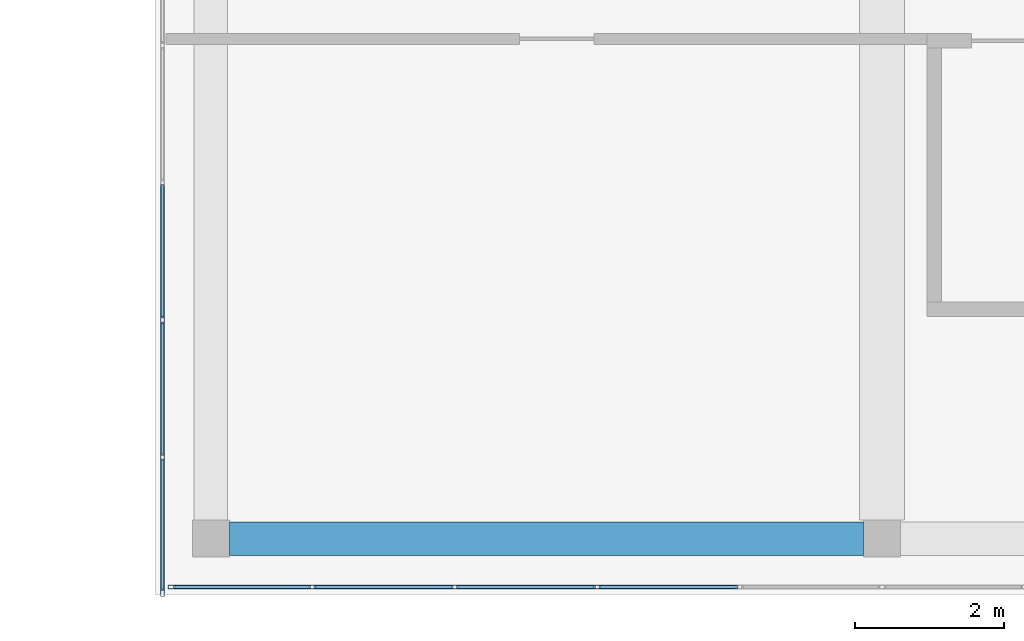
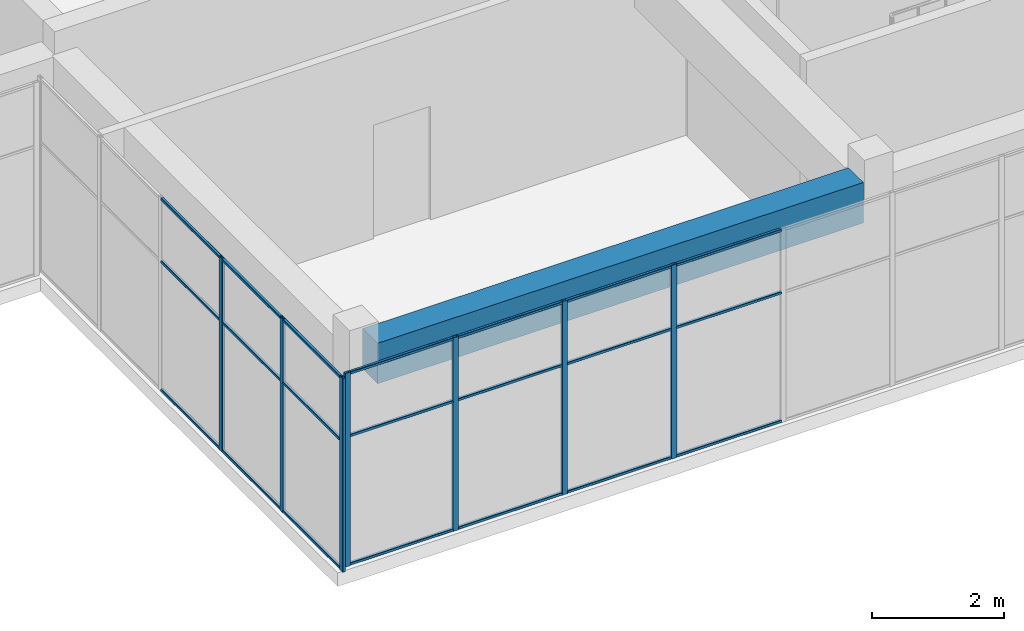
# One storey, part 2 of 36: 28 members, 1 beam, 2 elements without a shape of their own.
"""IFC4 building model written with IfcOpenShell, lengths in metres."""

from ifc_helpers import new_model, si_unit, direction, frame, origin, origin_2d, place, context, subcontext, project, spatial, rectangle, hollow_rectangle, extrude, material, layer, layer_set, material_profile, profile_set, type_object, element, aggregate, save


model = new_model("IFC4")

# Units and contexts
model_context = context("Model", 3, precision=1e-05, world=origin(), true_north=direction((0.0, 1.0)))
body_context = subcontext(model_context, "Body", "Model", "MODEL_VIEW")
ifc_project = project(units=[si_unit("LENGTHUNIT", "METRE"), si_unit("AREAUNIT", "SQUARE_METRE"), si_unit("VOLUMEUNIT", "CUBIC_METRE"), si_unit("PLANEANGLEUNIT", "RADIAN"), si_unit("MASSUNIT", "GRAM", prefix="KILO")], contexts=[model_context])

# Site, building, storey
site_placement = place(None, origin())
site = spatial("IfcSite", under=ifc_project, at=site_placement, CompositionType="ELEMENT")
building_placement = place(site_placement, origin())
building = spatial("IfcBuilding", under=site, at=building_placement, Name="Tuart Plaza Theatre", CompositionType="ELEMENT")
storey_placement = place(building_placement, frame((0.0, 0.0, 61.5)))
storey = spatial("IfcBuildingStorey", under=building, at=storey_placement, Name="L15", CompositionType="ELEMENT", Elevation=61.5)

# Beam
ifc_material_1 = material(Name="Concrete N40 (40 MPa)", Category="concrete")
ifc_material_profile_1 = material_profile(ifc_material_1, rectangle(XDim=0.449951171875, YDim=0.75, at=origin_2d()), Name="BEAM 450x750 Concrete N40 (40 MPa)")
ifc_profile_set_1 = profile_set([ifc_material_profile_1], Name="Concrete N40 (40 MPa)")
beam_type = type_object("IfcBeamType", Name="BEAM 450x750 Concrete N40 (40 MPa)", PredefinedType="BEAM", material=ifc_profile_set_1)
beam_placement = place(storey_placement, frame((123.25, 56.0, 3.205078125), z_axis=(1.0, 0.0, 0.0), x_axis=(0.0, 1.0, 0.0)))
element("IfcBeam", 1, at=beam_placement, inside=storey, type_object=beam_type, Name="RB328", PredefinedType="BEAM", context=body_context, shape_type="SweptSolid", body=[
    extrude(rectangle(XDim=0.449951171875, YDim=0.75, at=origin_2d()), origin(), (0.0, 0.0, 1.0), 8.5),
])

# Curtain wall, members
ifc_material_2 = material(Name="Aluminium and glass", Category="aluminium")
ifc_layer = layer(ifc_material_2, 0.10009765625)
ifc_layer_set = layer_set([ifc_layer], Name="CURTAIN WALL 2000 module")
curtain_wall_type = type_object("IfcCurtainWallType", Name="CURTAIN WALL 2000 module", PredefinedType="NOTDEFINED", material=ifc_layer_set)
curtain_wall_1_placement = place(storey_placement, origin())
curtain_wall_1 = element("IfcCurtainWall", 2, at=curtain_wall_1_placement, inside=storey, type_object=curtain_wall_type, Name="CW121", PredefinedType="NOTDEFINED")
ifc_material_3 = material(Name="Aluminium 6063-T5", Category="aluminium")
ifc_material_profile_2 = material_profile(ifc_material_3, hollow_rectangle(XDim=0.050048828125, YDim=0.10009765625, WallThickness=0.00390625, InnerFilletRadius=0.00390625, OuterFilletRadius=0.008056640625, at=origin_2d()), Name="RHS 100x50x4")
ifc_profile_set_2 = profile_set([ifc_material_profile_2], Name="Aluminium 6063-T5")
member_type_1 = type_object("IfcMemberType", Name="MULLION RHS 100x50x4", PredefinedType="MULLION", material=ifc_profile_set_2)
member_1_placement = place(storey_placement, frame((122.35009765625, 58.929931640625, 0.0), z_axis=(0.0, 0.0, 1.0), x_axis=(1.0, 0.0, 0.0)))
member_1 = element("IfcMember", 3, at=member_1_placement, type_object=member_type_1, Name="CW121 mullion 4", PredefinedType="MULLION", context=body_context, shape_type="SweptSolid", body=[
    extrude(hollow_rectangle(XDim=0.050048828125, YDim=0.10009765625, WallThickness=0.00390625, InnerFilletRadius=0.00390625, OuterFilletRadius=0.008056640625, at=origin_2d()), origin(), (0.0, 0.0, 1.0), 3.580078125),
])
member_2_placement = place(storey_placement, frame((122.35009765625, 57.090087890625, 0.0), z_axis=(0.0, 0.0, 1.0), x_axis=(1.0, 0.0, 0.0)))
member_2 = element("IfcMember", 4, at=member_2_placement, type_object=member_type_1, Name="CW121 mullion 5", PredefinedType="MULLION", context=body_context, shape_type="SweptSolid", body=[
    extrude(hollow_rectangle(XDim=0.050048828125, YDim=0.10009765625, WallThickness=0.00390625, InnerFilletRadius=0.00390625, OuterFilletRadius=0.008056640625, at=origin_2d()), origin(), (0.0, 0.0, 1.0), 3.580078125),
])
member_3_placement = place(storey_placement, frame((122.35009765625, 55.27490234375, 0.0), z_axis=(0.0, 0.0, 1.0), x_axis=(1.0, 0.0, 0.0)))
member_3 = element("IfcMember", 5, at=member_3_placement, type_object=member_type_1, Name="CW121 mullion 6", PredefinedType="MULLION", context=body_context, shape_type="SweptSolid", body=[
    extrude(hollow_rectangle(XDim=0.050048828125, YDim=0.10009765625, WallThickness=0.00390625, InnerFilletRadius=0.00390625, OuterFilletRadius=0.008056640625, at=origin_2d()), origin(), (0.0, 0.0, 1.0), 3.580078125),
])

curtain_wall_2_placement = place(storey_placement, origin())
curtain_wall_2 = element("IfcCurtainWall", 6, at=curtain_wall_2_placement, inside=storey, type_object=curtain_wall_type, Name="CW122", PredefinedType="NOTDEFINED")
member_4_placement = place(storey_placement, frame((122.47509765625, 55.35009765625, 0.0), z_axis=(0.0, 0.0, 1.0), x_axis=(0.0, 1.0, 0.0)))
member_4 = element("IfcMember", 7, at=member_4_placement, type_object=member_type_1, Name="CW122 mullion 1", PredefinedType="MULLION", context=body_context, shape_type="SweptSolid", body=[
    extrude(hollow_rectangle(XDim=0.050048828125, YDim=0.10009765625, WallThickness=0.00390625, InnerFilletRadius=0.00390625, OuterFilletRadius=0.008056640625, at=origin_2d()), origin(), (0.0, 0.0, 1.0), 3.580078125),
])
member_5_placement = place(storey_placement, frame((124.360107421875, 55.35009765625, 0.0), z_axis=(0.0, 0.0, 1.0), x_axis=(0.0, 1.0, 0.0)))
member_5 = element("IfcMember", 8, at=member_5_placement, type_object=member_type_1, Name="CW122 mullion 2", PredefinedType="MULLION", context=body_context, shape_type="SweptSolid", body=[
    extrude(hollow_rectangle(XDim=0.050048828125, YDim=0.10009765625, WallThickness=0.00390625, InnerFilletRadius=0.00390625, OuterFilletRadius=0.008056640625, at=origin_2d()), origin(), (0.0, 0.0, 1.0), 3.580078125),
])
member_6_placement = place(storey_placement, frame((126.27001953125, 55.35009765625, 0.0), z_axis=(0.0, 0.0, 1.0), x_axis=(0.0, 1.0, 0.0)))
member_6 = element("IfcMember", 9, at=member_6_placement, type_object=member_type_1, Name="CW122 mullion 3", PredefinedType="MULLION", context=body_context, shape_type="SweptSolid", body=[
    extrude(hollow_rectangle(XDim=0.050048828125, YDim=0.10009765625, WallThickness=0.00390625, InnerFilletRadius=0.00390625, OuterFilletRadius=0.008056640625, at=origin_2d()), origin(), (0.0, 0.0, 1.0), 3.580078125),
])
member_7_placement = place(storey_placement, frame((128.179931640625, 55.35009765625, 0.0), z_axis=(0.0, 0.0, 1.0), x_axis=(0.0, 1.0, 0.0)))
member_7 = element("IfcMember", 10, at=member_7_placement, type_object=member_type_1, Name="CW122 mullion 4", PredefinedType="MULLION", context=body_context, shape_type="SweptSolid", body=[
    extrude(hollow_rectangle(XDim=0.050048828125, YDim=0.10009765625, WallThickness=0.00390625, InnerFilletRadius=0.00390625, OuterFilletRadius=0.008056640625, at=origin_2d()), origin(), (0.0, 0.0, 1.0), 3.580078125),
])

# Member
ifc_material_4 = material(Name="Aluminium 6063-T5", Category="aluminium")
ifc_material_profile_3 = material_profile(ifc_material_4, hollow_rectangle(XDim=0.050048828125, YDim=0.050048828125, WallThickness=0.00390625, InnerFilletRadius=0.00390625, OuterFilletRadius=0.008056640625, at=origin_2d()), Name="RHS 50x50x4")
ifc_profile_set_3 = profile_set([ifc_material_profile_3], Name="Aluminium 6063-T5")
member_type_2 = type_object("IfcMemberType", Name="TRANSOM RHS 50x50x4", PredefinedType="USERDEFINED", material=ifc_profile_set_3)
member_8_placement = place(storey_placement, frame((122.35009765625, 60.7451171875, 0.02490234375), z_axis=(0.0, -1.0, 0.0), x_axis=(1.0, 0.0, 0.0)))
member_8 = element("IfcMember", 11, at=member_8_placement, type_object=member_type_2, Name="CW121 transom 3.1", ObjectType="TRANSOM", PredefinedType="USERDEFINED", context=body_context, shape_type="SweptSolid", body=[
    extrude(hollow_rectangle(XDim=0.050048828125, YDim=0.050048828125, WallThickness=0.00390625, InnerFilletRadius=0.00390625, OuterFilletRadius=0.008056640625, at=origin_2d()), origin(), (0.0, 0.0, 1.0), 1.7900390625),
])

member_9_placement = place(storey_placement, frame((122.35009765625, 60.7451171875, 2.39990234375), z_axis=(0.0, -1.0, 0.0), x_axis=(1.0, 0.0, 0.0)))
member_9 = element("IfcMember", 12, at=member_9_placement, type_object=member_type_2, Name="CW121 transom 3.2", ObjectType="TRANSOM", PredefinedType="USERDEFINED", context=body_context, shape_type="SweptSolid", body=[
    extrude(hollow_rectangle(XDim=0.050048828125, YDim=0.050048828125, WallThickness=0.00390625, InnerFilletRadius=0.00390625, OuterFilletRadius=0.008056640625, at=origin_2d()), origin(), (0.0, 0.0, 1.0), 1.7900390625),
])

member_10_placement = place(storey_placement, frame((122.35009765625, 60.7451171875, 3.554931640625), z_axis=(0.0, -1.0, 0.0), x_axis=(1.0, 0.0, 0.0)))
member_10 = element("IfcMember", 13, at=member_10_placement, type_object=member_type_2, Name="CW121 transom 3.3", ObjectType="TRANSOM", PredefinedType="USERDEFINED", context=body_context, shape_type="SweptSolid", body=[
    extrude(hollow_rectangle(XDim=0.050048828125, YDim=0.050048828125, WallThickness=0.00390625, InnerFilletRadius=0.00390625, OuterFilletRadius=0.008056640625, at=origin_2d()), origin(), (0.0, 0.0, 1.0), 1.7900390625),
])

member_11_placement = place(storey_placement, frame((122.35009765625, 58.905029296875, 0.02490234375), z_axis=(0.0, -1.0, 0.0), x_axis=(1.0, 0.0, 0.0)))
member_11 = element("IfcMember", 14, at=member_11_placement, type_object=member_type_2, Name="CW121 transom 4.1", ObjectType="TRANSOM", PredefinedType="USERDEFINED", context=body_context, shape_type="SweptSolid", body=[
    extrude(hollow_rectangle(XDim=0.050048828125, YDim=0.050048828125, WallThickness=0.00390625, InnerFilletRadius=0.00390625, OuterFilletRadius=0.008056640625, at=origin_2d()), origin(), (0.0, 0.0, 1.0), 1.7900390625),
])

member_12_placement = place(storey_placement, frame((122.35009765625, 58.905029296875, 2.39990234375), z_axis=(0.0, -1.0, 0.0), x_axis=(1.0, 0.0, 0.0)))
member_12 = element("IfcMember", 15, at=member_12_placement, type_object=member_type_2, Name="CW121 transom 4.2", ObjectType="TRANSOM", PredefinedType="USERDEFINED", context=body_context, shape_type="SweptSolid", body=[
    extrude(hollow_rectangle(XDim=0.050048828125, YDim=0.050048828125, WallThickness=0.00390625, InnerFilletRadius=0.00390625, OuterFilletRadius=0.008056640625, at=origin_2d()), origin(), (0.0, 0.0, 1.0), 1.7900390625),
])

member_13_placement = place(storey_placement, frame((122.35009765625, 58.905029296875, 3.554931640625), z_axis=(0.0, -1.0, 0.0), x_axis=(1.0, 0.0, 0.0)))
member_13 = element("IfcMember", 16, at=member_13_placement, type_object=member_type_2, Name="CW121 transom 4.3", ObjectType="TRANSOM", PredefinedType="USERDEFINED", context=body_context, shape_type="SweptSolid", body=[
    extrude(hollow_rectangle(XDim=0.050048828125, YDim=0.050048828125, WallThickness=0.00390625, InnerFilletRadius=0.00390625, OuterFilletRadius=0.008056640625, at=origin_2d()), origin(), (0.0, 0.0, 1.0), 1.7900390625),
])

member_14_placement = place(storey_placement, frame((122.35009765625, 57.06494140625, 0.02490234375), z_axis=(0.0, -1.0, 0.0), x_axis=(1.0, 0.0, 0.0)))
member_14 = element("IfcMember", 17, at=member_14_placement, type_object=member_type_2, Name="CW121 transom 5.1", ObjectType="TRANSOM", PredefinedType="USERDEFINED", context=body_context, shape_type="SweptSolid", body=[
    extrude(hollow_rectangle(XDim=0.050048828125, YDim=0.050048828125, WallThickness=0.00390625, InnerFilletRadius=0.00390625, OuterFilletRadius=0.008056640625, at=origin_2d()), origin(), (0.0, 0.0, 1.0), 1.764892578125),
])

member_15_placement = place(storey_placement, frame((122.35009765625, 57.06494140625, 2.39990234375), z_axis=(0.0, -1.0, 0.0), x_axis=(1.0, 0.0, 0.0)))
member_15 = element("IfcMember", 18, at=member_15_placement, type_object=member_type_2, Name="CW121 transom 5.2", ObjectType="TRANSOM", PredefinedType="USERDEFINED", context=body_context, shape_type="SweptSolid", body=[
    extrude(hollow_rectangle(XDim=0.050048828125, YDim=0.050048828125, WallThickness=0.00390625, InnerFilletRadius=0.00390625, OuterFilletRadius=0.008056640625, at=origin_2d()), origin(), (0.0, 0.0, 1.0), 1.764892578125),
])

member_16_placement = place(storey_placement, frame((122.35009765625, 57.06494140625, 3.554931640625), z_axis=(0.0, -1.0, 0.0), x_axis=(1.0, 0.0, 0.0)))
member_16 = element("IfcMember", 19, at=member_16_placement, type_object=member_type_2, Name="CW121 transom 5.3", ObjectType="TRANSOM", PredefinedType="USERDEFINED", context=body_context, shape_type="SweptSolid", body=[
    extrude(hollow_rectangle(XDim=0.050048828125, YDim=0.050048828125, WallThickness=0.00390625, InnerFilletRadius=0.00390625, OuterFilletRadius=0.008056640625, at=origin_2d()), origin(), (0.0, 0.0, 1.0), 1.764892578125),
])

aggregate(curtain_wall_1, [member_1, member_2, member_3, member_8, member_9, member_10, member_11, member_12, member_13, member_14, member_15, member_16])

member_17_placement = place(storey_placement, frame((122.5, 55.35009765625, 0.02490234375), z_axis=(1.0, 0.0, 0.0), x_axis=(0.0, 1.0, 0.0)))
member_17 = element("IfcMember", 20, at=member_17_placement, type_object=member_type_2, Name="CW122 transom 1.1", ObjectType="TRANSOM", PredefinedType="USERDEFINED", context=body_context, shape_type="SweptSolid", body=[
    extrude(hollow_rectangle(XDim=0.050048828125, YDim=0.050048828125, WallThickness=0.00390625, InnerFilletRadius=0.00390625, OuterFilletRadius=0.008056640625, at=origin_2d()), origin(), (0.0, 0.0, 1.0), 1.8349609375),
])

member_18_placement = place(storey_placement, frame((122.5, 55.35009765625, 2.39990234375), z_axis=(1.0, 0.0, 0.0), x_axis=(0.0, 1.0, 0.0)))
member_18 = element("IfcMember", 21, at=member_18_placement, type_object=member_type_2, Name="CW122 transom 1.2", ObjectType="TRANSOM", PredefinedType="USERDEFINED", context=body_context, shape_type="SweptSolid", body=[
    extrude(hollow_rectangle(XDim=0.050048828125, YDim=0.050048828125, WallThickness=0.00390625, InnerFilletRadius=0.00390625, OuterFilletRadius=0.008056640625, at=origin_2d()), origin(), (0.0, 0.0, 1.0), 1.8349609375),
])

member_19_placement = place(storey_placement, frame((122.5, 55.35009765625, 3.554931640625), z_axis=(1.0, 0.0, 0.0), x_axis=(0.0, 1.0, 0.0)))
member_19 = element("IfcMember", 22, at=member_19_placement, type_object=member_type_2, Name="CW122 transom 1.3", ObjectType="TRANSOM", PredefinedType="USERDEFINED", context=body_context, shape_type="SweptSolid", body=[
    extrude(hollow_rectangle(XDim=0.050048828125, YDim=0.050048828125, WallThickness=0.00390625, InnerFilletRadius=0.00390625, OuterFilletRadius=0.008056640625, at=origin_2d()), origin(), (0.0, 0.0, 1.0), 1.8349609375),
])

member_20_placement = place(storey_placement, frame((124.385009765625, 55.35009765625, 0.02490234375), z_axis=(1.0, 0.0, 0.0), x_axis=(0.0, 1.0, 0.0)))
member_20 = element("IfcMember", 23, at=member_20_placement, type_object=member_type_2, Name="CW122 transom 2.1", ObjectType="TRANSOM", PredefinedType="USERDEFINED", context=body_context, shape_type="SweptSolid", body=[
    extrude(hollow_rectangle(XDim=0.050048828125, YDim=0.050048828125, WallThickness=0.00390625, InnerFilletRadius=0.00390625, OuterFilletRadius=0.008056640625, at=origin_2d()), origin(), (0.0, 0.0, 1.0), 1.860107421875),
])

member_21_placement = place(storey_placement, frame((124.385009765625, 55.35009765625, 2.39990234375), z_axis=(1.0, 0.0, 0.0), x_axis=(0.0, 1.0, 0.0)))
member_21 = element("IfcMember", 24, at=member_21_placement, type_object=member_type_2, Name="CW122 transom 2.2", ObjectType="TRANSOM", PredefinedType="USERDEFINED", context=body_context, shape_type="SweptSolid", body=[
    extrude(hollow_rectangle(XDim=0.050048828125, YDim=0.050048828125, WallThickness=0.00390625, InnerFilletRadius=0.00390625, OuterFilletRadius=0.008056640625, at=origin_2d()), origin(), (0.0, 0.0, 1.0), 1.860107421875),
])

member_22_placement = place(storey_placement, frame((124.385009765625, 55.35009765625, 3.554931640625), z_axis=(1.0, 0.0, 0.0), x_axis=(0.0, 1.0, 0.0)))
member_22 = element("IfcMember", 25, at=member_22_placement, type_object=member_type_2, Name="CW122 transom 2.3", ObjectType="TRANSOM", PredefinedType="USERDEFINED", context=body_context, shape_type="SweptSolid", body=[
    extrude(hollow_rectangle(XDim=0.050048828125, YDim=0.050048828125, WallThickness=0.00390625, InnerFilletRadius=0.00390625, OuterFilletRadius=0.008056640625, at=origin_2d()), origin(), (0.0, 0.0, 1.0), 1.860107421875),
])

member_23_placement = place(storey_placement, frame((126.294921875, 55.35009765625, 0.02490234375), z_axis=(1.0, 0.0, 0.0), x_axis=(0.0, 1.0, 0.0)))
member_23 = element("IfcMember", 26, at=member_23_placement, type_object=member_type_2, Name="CW122 transom 3.1", ObjectType="TRANSOM", PredefinedType="USERDEFINED", context=body_context, shape_type="SweptSolid", body=[
    extrude(hollow_rectangle(XDim=0.050048828125, YDim=0.050048828125, WallThickness=0.00390625, InnerFilletRadius=0.00390625, OuterFilletRadius=0.008056640625, at=origin_2d()), origin(), (0.0, 0.0, 1.0), 1.860107421875),
])

member_24_placement = place(storey_placement, frame((126.294921875, 55.35009765625, 2.39990234375), z_axis=(1.0, 0.0, 0.0), x_axis=(0.0, 1.0, 0.0)))
member_24 = element("IfcMember", 27, at=member_24_placement, type_object=member_type_2, Name="CW122 transom 3.2", ObjectType="TRANSOM", PredefinedType="USERDEFINED", context=body_context, shape_type="SweptSolid", body=[
    extrude(hollow_rectangle(XDim=0.050048828125, YDim=0.050048828125, WallThickness=0.00390625, InnerFilletRadius=0.00390625, OuterFilletRadius=0.008056640625, at=origin_2d()), origin(), (0.0, 0.0, 1.0), 1.860107421875),
])

member_25_placement = place(storey_placement, frame((126.294921875, 55.35009765625, 3.554931640625), z_axis=(1.0, 0.0, 0.0), x_axis=(0.0, 1.0, 0.0)))
member_25 = element("IfcMember", 28, at=member_25_placement, type_object=member_type_2, Name="CW122 transom 3.3", ObjectType="TRANSOM", PredefinedType="USERDEFINED", context=body_context, shape_type="SweptSolid", body=[
    extrude(hollow_rectangle(XDim=0.050048828125, YDim=0.050048828125, WallThickness=0.00390625, InnerFilletRadius=0.00390625, OuterFilletRadius=0.008056640625, at=origin_2d()), origin(), (0.0, 0.0, 1.0), 1.860107421875),
])

member_26_placement = place(storey_placement, frame((128.205078125, 55.35009765625, 0.02490234375), z_axis=(1.0, 0.0, 0.0), x_axis=(0.0, 1.0, 0.0)))
member_26 = element("IfcMember", 29, at=member_26_placement, type_object=member_type_2, Name="CW122 transom 4.1", ObjectType="TRANSOM", PredefinedType="USERDEFINED", context=body_context, shape_type="SweptSolid", body=[
    extrude(hollow_rectangle(XDim=0.050048828125, YDim=0.050048828125, WallThickness=0.00390625, InnerFilletRadius=0.00390625, OuterFilletRadius=0.008056640625, at=origin_2d()), origin(), (0.0, 0.0, 1.0), 1.85986328125),
])

member_27_placement = place(storey_placement, frame((128.205078125, 55.35009765625, 2.39990234375), z_axis=(1.0, 0.0, 0.0), x_axis=(0.0, 1.0, 0.0)))
member_27 = element("IfcMember", 30, at=member_27_placement, type_object=member_type_2, Name="CW122 transom 4.2", ObjectType="TRANSOM", PredefinedType="USERDEFINED", context=body_context, shape_type="SweptSolid", body=[
    extrude(hollow_rectangle(XDim=0.050048828125, YDim=0.050048828125, WallThickness=0.00390625, InnerFilletRadius=0.00390625, OuterFilletRadius=0.008056640625, at=origin_2d()), origin(), (0.0, 0.0, 1.0), 1.85986328125),
])

member_28_placement = place(storey_placement, frame((128.205078125, 55.35009765625, 3.554931640625), z_axis=(1.0, 0.0, 0.0), x_axis=(0.0, 1.0, 0.0)))
member_28 = element("IfcMember", 31, at=member_28_placement, type_object=member_type_2, Name="CW122 transom 4.3", ObjectType="TRANSOM", PredefinedType="USERDEFINED", context=body_context, shape_type="SweptSolid", body=[
    extrude(hollow_rectangle(XDim=0.050048828125, YDim=0.050048828125, WallThickness=0.00390625, InnerFilletRadius=0.00390625, OuterFilletRadius=0.008056640625, at=origin_2d()), origin(), (0.0, 0.0, 1.0), 1.85986328125),
])

aggregate(curtain_wall_2, [member_4, member_5, member_6, member_7, member_17, member_18, member_19, member_20, member_21, member_22, member_23, member_24, member_25, member_26, member_27, member_28])

save(model, "model.ifc")
